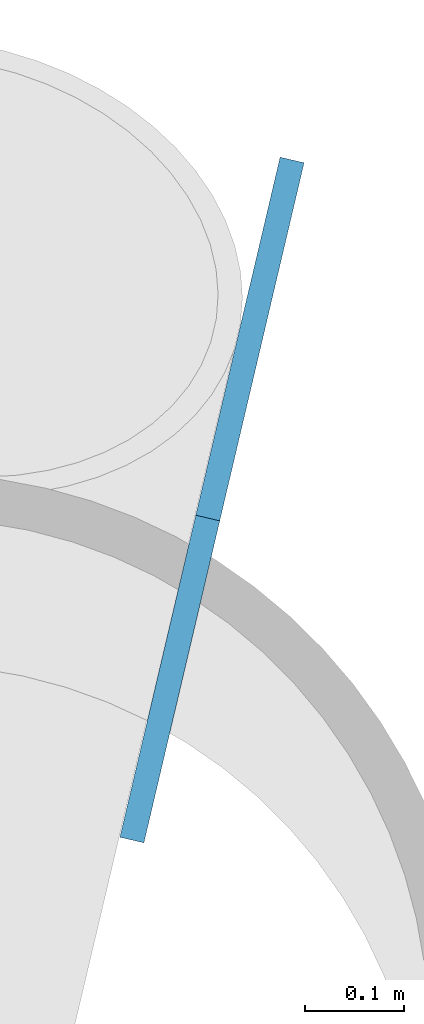
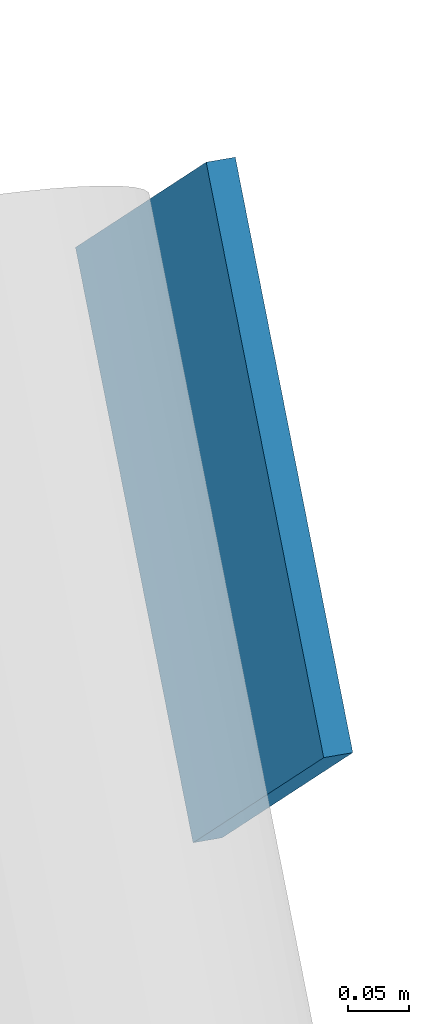
# One storey, part 10 of 23: 1 discrete accessory.
"""IFC4 building model written with IfcOpenShell, lengths in metres."""

from ifc_helpers import new_model, si_unit, direction, frame, origin, origin_2d, place, context, subcontext, project, spatial, rectangle, extrude, material, material_profile, profile_set, type_object, element, save


model = new_model("IFC4")

# Units and contexts
model_context = context("Model", 3, precision=1e-05, world=origin(), true_north=direction((0.0, 1.0)))
body_context = subcontext(model_context, "Body", "Model", "MODEL_VIEW")
ifc_project = project(units=[si_unit("LENGTHUNIT", "METRE"), si_unit("AREAUNIT", "SQUARE_METRE"), si_unit("VOLUMEUNIT", "CUBIC_METRE"), si_unit("PLANEANGLEUNIT", "RADIAN"), si_unit("MASSUNIT", "GRAM", prefix="KILO")], contexts=[model_context])

# Site, building, storey
site_placement = place(None, origin())
site = spatial("IfcSite", under=ifc_project, at=site_placement, CompositionType="ELEMENT")
building_placement = place(site_placement, origin())
building = spatial("IfcBuilding", under=site, at=building_placement, Name="Tarsis Ring Headquarters", CompositionType="ELEMENT")
storey_placement = place(building_placement, frame((0.0, 0.0, 155.39990234375)))
storey = spatial("IfcBuildingStorey", under=building, at=storey_placement, Name="L35", CompositionType="ELEMENT", Elevation=155.39990234375)

# Discrete accessory
ifc_material = material(Name="Structural steel S355", Category="steel")
ifc_material_profile = material_profile(ifc_material, rectangle(XDim=0.02490234375, YDim=0.5, at=origin_2d()), Name="PL 25x500")
ifc_profile_set = profile_set([ifc_material_profile], Name="Structural steel S355")
discrete_accessory_type = type_object("IfcDiscreteAccessoryType", Name="Gusset plate Exo brace 25", PredefinedType="BRACKET", material=ifc_profile_set)
discrete_accessory_placement = place(storey_placement, frame((29.352783203125, -0.5810546875, 7.800048828125), z_axis=(-0.153363007602, -0.651060156477, -0.743371011371), x_axis=(0.97335967916, -0.229283525324, 0.0)))
element("IfcDiscreteAccessory", 1, at=discrete_accessory_placement, inside=storey, type_object=discrete_accessory_type, Name="Gusset plate GP5", PredefinedType="BRACKET", context=body_context, shape_type="SweptSolid", body=[
    extrude(rectangle(XDim=0.02490234375, YDim=0.5, at=origin_2d()), origin(), (0.0, 0.0, 1.0), 0.499755859375),
])

save(model, "model.ifc")
